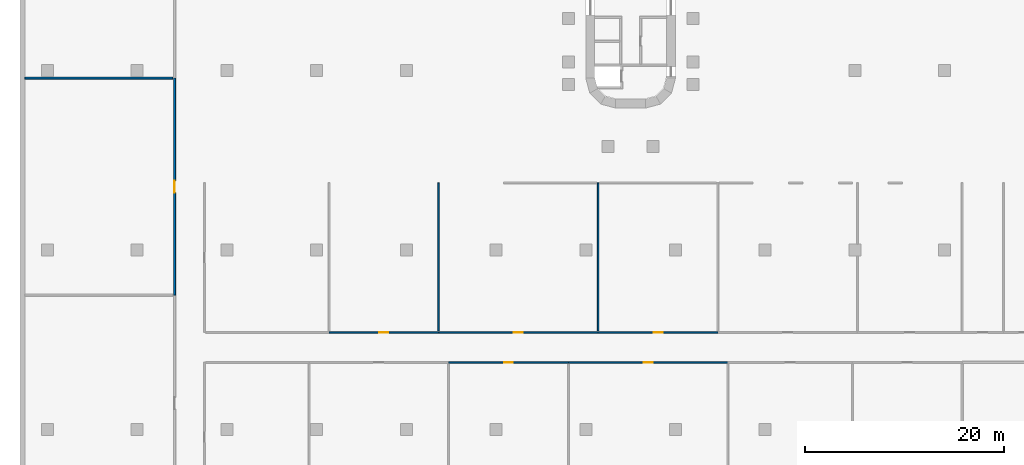
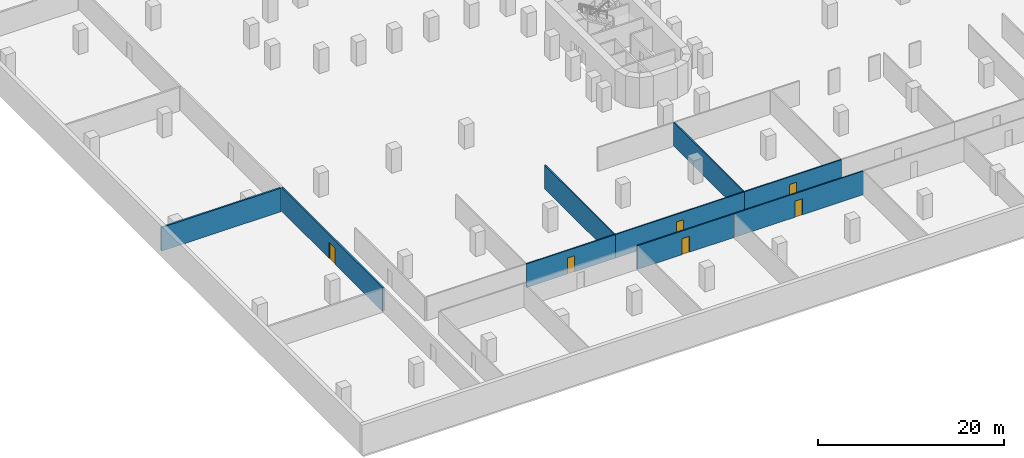
# One storey, part 4 of 11: 9 walls, 6 doors, 6 openings.
"""IFC4 building model written with IfcOpenShell, lengths in metres."""

from ifc_helpers import new_model, si_unit, direction, frame, frame_2d, origin, place, context, subcontext, project, spatial, rectangle, extrude, material, layer, layer_set, type_object, element, fill, save


model = new_model("IFC4")

# Units and contexts
model_context = context("Model", 3, precision=1e-05, world=origin(), true_north=direction((0.0, 1.0)))
body_context = subcontext(model_context, "Body", "Model", "MODEL_VIEW")
ifc_project = project(units=[si_unit("LENGTHUNIT", "METRE"), si_unit("AREAUNIT", "SQUARE_METRE"), si_unit("VOLUMEUNIT", "CUBIC_METRE"), si_unit("PLANEANGLEUNIT", "RADIAN"), si_unit("MASSUNIT", "GRAM", prefix="KILO")], contexts=[model_context])

# Site, building, storey
site_placement = place(None, origin())
site = spatial("IfcSite", under=ifc_project, at=site_placement, CompositionType="ELEMENT")
building_placement = place(site_placement, origin())
building = spatial("IfcBuilding", under=site, at=building_placement, Name="Zarbagh Exchange Tower", CompositionType="ELEMENT")
storey_placement = place(building_placement, frame((0.0, 0.0, -4.0)))
storey = spatial("IfcBuildingStorey", under=building, at=storey_placement, Name="B1", CompositionType="ELEMENT", Elevation=-4.0)

# Wall, opening, door
ifc_material_1 = material(Name="Plasterboard partition")
ifc_layer_1 = layer(ifc_material_1, 0.14990234375)
ifc_layer_set_1 = layer_set([ifc_layer_1], Name="Board partition 150")
wall_type_1 = type_object("IfcWallType", Name="Board partition 150", PredefinedType="PARTITIONING", material=ifc_layer_set_1)
wall_1_placement = place(storey_placement, frame((-6.25, -54.75, 0.0), z_axis=(0.0, 0.0, 1.0), x_axis=(-1.0, 0.0, 0.0)))
wall_1 = element("IfcWall", 1, at=wall_1_placement, inside=storey, type_object=wall_type_1, Name="WL-B1-W016", PredefinedType="PARTITIONING", context=body_context, shape_type="SweptSolid", body=[
    extrude(rectangle(XDim=12.0, YDim=0.14990234375, at=frame_2d((6.0, 0.0))), origin(), (0.0, 0.0, 1.0), 3.10009765625),
])
opening_1_placement = place(wall_1_placement, frame((5.550048828125, 0.0, 0.0)))
opening_1 = element("IfcOpeningElement", 2, at=opening_1_placement, cuts=wall_1, Name="Opening D10", PredefinedType="OPENING", context=body_context, shape_type="SweptSolid", body=[
    extrude(rectangle(XDim=0.89990234375, YDim=2.10009765625, at=frame_2d((0.449951171875, 1.050048828125))), frame((0.0, 0.0849609375, 0.0), z_axis=(0.0, -1.0, 0.0), x_axis=(1.0, 0.0, 0.0)), (0.0, 0.0, 1.0), 0.169921875),
])
ifc_material_2 = material(Name="Timber door leaf", Category="wood")
door_type_1 = type_object("IfcDoorType", Name="Door single 900x2100", OperationType="SINGLE_SWING_LEFT", PredefinedType="DOOR", material=ifc_material_2)
door_1_placement = place(opening_1_placement, origin())
door_1 = element("IfcDoor", 3, at=door_1_placement, inside=storey, type_object=door_type_1, Name="D10", OperationType="SINGLE_SWING_LEFT", OverallHeight=2.10009765625, OverallWidth=0.89990234375, PredefinedType="DOOR", context=body_context, shape_type="SweptSolid", body=[
    extrude(rectangle(XDim=0.89990234375, YDim=2.10009765625, at=frame_2d((0.449951171875, 1.050048828125))), frame((0.0, 0.02490234375, 0.0), z_axis=(0.0, -1.0, 0.0), x_axis=(1.0, 0.0, 0.0)), (0.0, 0.0, 1.0), 0.050048828125),
])
fill(opening_1, door_1)

wall_2_placement = place(storey_placement, frame((9.75, -54.75, 0.0), z_axis=(0.0, 0.0, 1.0), x_axis=(-1.0, 0.0, 0.0)))
wall_2 = element("IfcWall", 4, at=wall_2_placement, inside=storey, type_object=wall_type_1, Name="WL-B1-W017", PredefinedType="PARTITIONING", context=body_context, shape_type="SweptSolid", body=[
    extrude(rectangle(XDim=16.0, YDim=0.14990234375, at=frame_2d((8.0, 0.0))), origin(), (0.0, 0.0, 1.0), 3.10009765625),
])
opening_2_placement = place(wall_2_placement, frame((7.550048828125, 0.0, 0.0)))
opening_2 = element("IfcOpeningElement", 5, at=opening_2_placement, cuts=wall_2, Name="Opening D11", PredefinedType="OPENING", context=body_context, shape_type="SweptSolid", body=[
    extrude(rectangle(XDim=0.89990234375, YDim=2.10009765625, at=frame_2d((0.449951171875, 1.050048828125))), frame((0.0, 0.0849609375, 0.0), z_axis=(0.0, -1.0, 0.0), x_axis=(1.0, 0.0, 0.0)), (0.0, 0.0, 1.0), 0.169921875),
])
door_2_placement = place(opening_2_placement, origin())
door_2 = element("IfcDoor", 6, at=door_2_placement, inside=storey, type_object=door_type_1, Name="D11", OperationType="SINGLE_SWING_LEFT", OverallHeight=2.10009765625, OverallWidth=0.89990234375, PredefinedType="DOOR", context=body_context, shape_type="SweptSolid", body=[
    extrude(rectangle(XDim=0.89990234375, YDim=2.10009765625, at=frame_2d((0.449951171875, 1.050048828125))), frame((0.0, 0.02490234375, 0.0), z_axis=(0.0, -1.0, 0.0), x_axis=(1.0, 0.0, 0.0)), (0.0, 0.0, 1.0), 0.050048828125),
])
fill(opening_2, door_2)

wall_3_placement = place(storey_placement, frame((-30.25, -51.75, 0.0), z_axis=(0.0, 0.0, 1.0), x_axis=(1.0, 0.0, 0.0)))
wall_3 = element("IfcWall", 7, at=wall_3_placement, inside=storey, type_object=wall_type_1, Name="WL-B1-W022", PredefinedType="PARTITIONING", context=body_context, shape_type="SweptSolid", body=[
    extrude(rectangle(XDim=11.0, YDim=0.14990234375, at=frame_2d((5.5, 0.0))), origin(), (0.0, 0.0, 1.0), 3.10009765625),
])
opening_3_placement = place(wall_3_placement, frame((5.050048828125, 0.0, 0.0)))
opening_3 = element("IfcOpeningElement", 8, at=opening_3_placement, cuts=wall_3, Name="Opening D14", PredefinedType="OPENING", context=body_context, shape_type="SweptSolid", body=[
    extrude(rectangle(XDim=0.89990234375, YDim=2.10009765625, at=frame_2d((0.449951171875, 1.050048828125))), frame((0.0, 0.0849609375, 0.0), z_axis=(0.0, -1.0, 0.0), x_axis=(1.0, 0.0, 0.0)), (0.0, 0.0, 1.0), 0.169921875),
])
door_3_placement = place(opening_3_placement, origin())
door_3 = element("IfcDoor", 9, at=door_3_placement, inside=storey, type_object=door_type_1, Name="D14", OperationType="SINGLE_SWING_LEFT", OverallHeight=2.10009765625, OverallWidth=0.89990234375, PredefinedType="DOOR", context=body_context, shape_type="SweptSolid", body=[
    extrude(rectangle(XDim=0.89990234375, YDim=2.10009765625, at=frame_2d((0.449951171875, 1.050048828125))), frame((0.0, 0.02490234375, 0.0), z_axis=(0.0, -1.0, 0.0), x_axis=(1.0, 0.0, 0.0)), (0.0, 0.0, 1.0), 0.050048828125),
])
fill(opening_3, door_3)

wall_4_placement = place(storey_placement, frame((-19.25, -51.75, 0.0), z_axis=(0.0, 0.0, 1.0), x_axis=(1.0, 0.0, 0.0)))
wall_4 = element("IfcWall", 10, at=wall_4_placement, inside=storey, type_object=wall_type_1, Name="WL-B1-W023", PredefinedType="PARTITIONING", context=body_context, shape_type="SweptSolid", body=[
    extrude(rectangle(XDim=16.0, YDim=0.14990234375, at=frame_2d((8.0, 0.0))), origin(), (0.0, 0.0, 1.0), 3.10009765625),
])
opening_4_placement = place(wall_4_placement, frame((7.550048828125, 0.0, 0.0)))
opening_4 = element("IfcOpeningElement", 11, at=opening_4_placement, cuts=wall_4, Name="Opening D15", PredefinedType="OPENING", context=body_context, shape_type="SweptSolid", body=[
    extrude(rectangle(XDim=0.89990234375, YDim=2.10009765625, at=frame_2d((0.449951171875, 1.050048828125))), frame((0.0, 0.0849609375, 0.0), z_axis=(0.0, -1.0, 0.0), x_axis=(1.0, 0.0, 0.0)), (0.0, 0.0, 1.0), 0.169921875),
])
door_4_placement = place(opening_4_placement, origin())
door_4 = element("IfcDoor", 12, at=door_4_placement, inside=storey, type_object=door_type_1, Name="D15", OperationType="SINGLE_SWING_LEFT", OverallHeight=2.10009765625, OverallWidth=0.89990234375, PredefinedType="DOOR", context=body_context, shape_type="SweptSolid", body=[
    extrude(rectangle(XDim=0.89990234375, YDim=2.10009765625, at=frame_2d((0.449951171875, 1.050048828125))), frame((0.0, 0.02490234375, 0.0), z_axis=(0.0, -1.0, 0.0), x_axis=(1.0, 0.0, 0.0)), (0.0, 0.0, 1.0), 0.050048828125),
])
fill(opening_4, door_4)

wall_5_placement = place(storey_placement, frame((-3.25, -51.75, 0.0), z_axis=(0.0, 0.0, 1.0), x_axis=(1.0, 0.0, 0.0)))
wall_5 = element("IfcWall", 13, at=wall_5_placement, inside=storey, type_object=wall_type_1, Name="WL-B1-W024", PredefinedType="PARTITIONING", context=body_context, shape_type="SweptSolid", body=[
    extrude(rectangle(XDim=12.0, YDim=0.14990234375, at=frame_2d((6.0, 0.0))), origin(), (0.0, 0.0, 1.0), 3.10009765625),
])
opening_5_placement = place(wall_5_placement, frame((5.550048828125, 0.0, 0.0)))
opening_5 = element("IfcOpeningElement", 14, at=opening_5_placement, cuts=wall_5, Name="Opening D16", PredefinedType="OPENING", context=body_context, shape_type="SweptSolid", body=[
    extrude(rectangle(XDim=0.89990234375, YDim=2.10009765625, at=frame_2d((0.449951171875, 1.050048828125))), frame((0.0, 0.0849609375, 0.0), z_axis=(0.0, -1.0, 0.0), x_axis=(1.0, 0.0, 0.0)), (0.0, 0.0, 1.0), 0.169921875),
])
door_5_placement = place(opening_5_placement, origin())
door_5 = element("IfcDoor", 15, at=door_5_placement, inside=storey, type_object=door_type_1, Name="D16", OperationType="SINGLE_SWING_LEFT", OverallHeight=2.10009765625, OverallWidth=0.89990234375, PredefinedType="DOOR", context=body_context, shape_type="SweptSolid", body=[
    extrude(rectangle(XDim=0.89990234375, YDim=2.10009765625, at=frame_2d((0.449951171875, 1.050048828125))), frame((0.0, 0.02490234375, 0.0), z_axis=(0.0, -1.0, 0.0), x_axis=(1.0, 0.0, 0.0)), (0.0, 0.0, 1.0), 0.050048828125),
])
fill(opening_5, door_5)

# Walls
for number, where, z_axis, x_axis, name in (
    (16, (-19.25, -36.75, 0.0), (0.0, 0.0, 1.0), (0.0, -1.0, 0.0), "WL-B1-W039"),
    (17, (-3.25, -36.75, 0.0), (0.0, 0.0, 1.0), (0.0, -1.0, 0.0), "WL-B1-W040"),
):
    element("IfcWall", number, at=place(storey_placement, frame(where, z_axis=z_axis, x_axis=x_axis)), inside=storey, type_object=wall_type_1, Name=name, PredefinedType="PARTITIONING", context=body_context, shape_type="SweptSolid", body=[
        extrude(rectangle(XDim=14.85009765625, YDim=0.14990234375, at=frame_2d((7.425048828125, 0.0))), origin(), (0.0, 0.0, 1.0), 3.10009765625),
    ])

# Wall, opening, door
ifc_material_3 = material(Name="Concrete block partition", Category="concrete")
ifc_layer_2 = layer(ifc_material_3, 0.199951171875)
ifc_layer_set_2 = layer_set([ifc_layer_2], Name="Fire-rated block partition 200 EI 120")
wall_type_2 = type_object("IfcWallType", Name="Fire-rated block partition 200 EI 120", PredefinedType="PARTITIONING", material=ifc_layer_set_2)
wall_6_placement = place(storey_placement, frame((-45.75, -48.0, 0.0), z_axis=(0.0, 0.0, 1.0), x_axis=(0.0, 1.0, 0.0)))
wall_6 = element("IfcWall", 18, at=wall_6_placement, inside=storey, type_object=wall_type_2, Name="WL-B1-W002", PredefinedType="PARTITIONING", context=body_context, shape_type="SweptSolid", body=[
    extrude(rectangle(XDim=21.75, YDim=0.199951171875, at=frame_2d((10.875, 0.0))), origin(), (0.0, 0.0, 1.0), 3.10009765625),
])
opening_6_placement = place(wall_6_placement, frame((10.27490234375, 0.0, 0.0)))
opening_6 = element("IfcOpeningElement", 19, at=opening_6_placement, cuts=wall_6, Name="Opening D33", PredefinedType="OPENING", context=body_context, shape_type="SweptSolid", body=[
    extrude(rectangle(XDim=1.199951171875, YDim=2.10009765625, at=frame_2d((0.60009765625, 1.050048828125))), frame((0.0, 0.10986328125, 0.0), z_axis=(0.0, -1.0, 0.0), x_axis=(1.0, 0.0, 0.0)), (0.0, 0.0, 1.0), 0.219970703125),
])
ifc_material_4 = material(Name="Steel door set", Category="steel")
door_type_2 = type_object("IfcDoorType", Name="Door single 1200x2100 EI 120", OperationType="SINGLE_SWING_LEFT", PredefinedType="DOOR", material=ifc_material_4)
door_6_placement = place(opening_6_placement, origin())
door_6 = element("IfcDoor", 20, at=door_6_placement, inside=storey, type_object=door_type_2, Name="D02", OperationType="SINGLE_SWING_LEFT", OverallHeight=2.10009765625, OverallWidth=1.199951171875, PredefinedType="DOOR", context=body_context, shape_type="SweptSolid", body=[
    extrude(rectangle(XDim=1.199951171875, YDim=2.10009765625, at=frame_2d((0.60009765625, 1.050048828125))), frame((0.0, 0.02490234375, 0.0), z_axis=(0.0, -1.0, 0.0), x_axis=(1.0, 0.0, 0.0)), (0.0, 0.0, 1.0), 0.050048828125),
])
fill(opening_6, door_6)

# Wall
wall_7_placement = place(storey_placement, frame((-60.75, -26.25, 0.0), z_axis=(0.0, 0.0, 1.0), x_axis=(1.0, 0.0, 0.0)))
element("IfcWall", 21, at=wall_7_placement, inside=storey, type_object=wall_type_2, Name="WL-B1-W010", PredefinedType="PARTITIONING", context=body_context, shape_type="SweptSolid", body=[
    extrude(rectangle(XDim=14.800048828125, YDim=0.199951171875, at=frame_2d((7.39990234375, 0.0))), origin(), (0.0, 0.0, 1.0), 3.10009765625),
])

save(model, "model.ifc")
